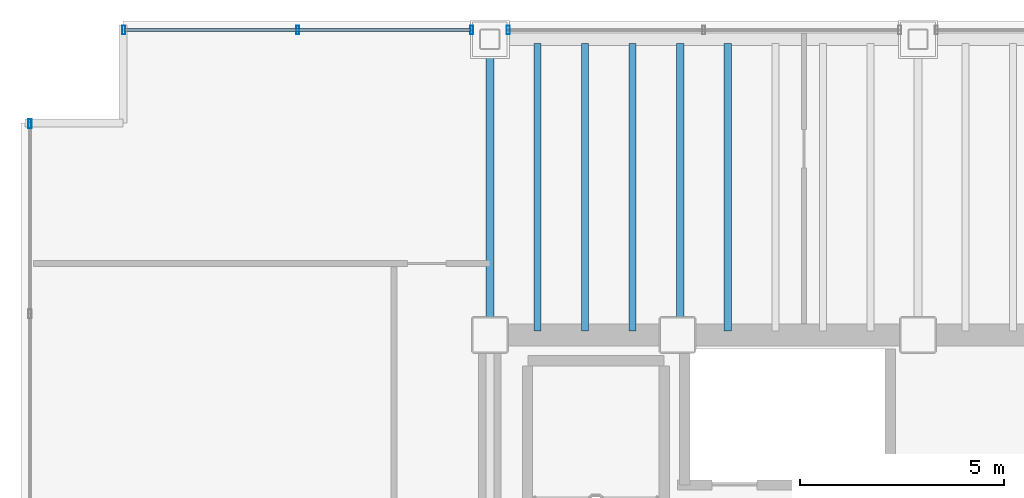
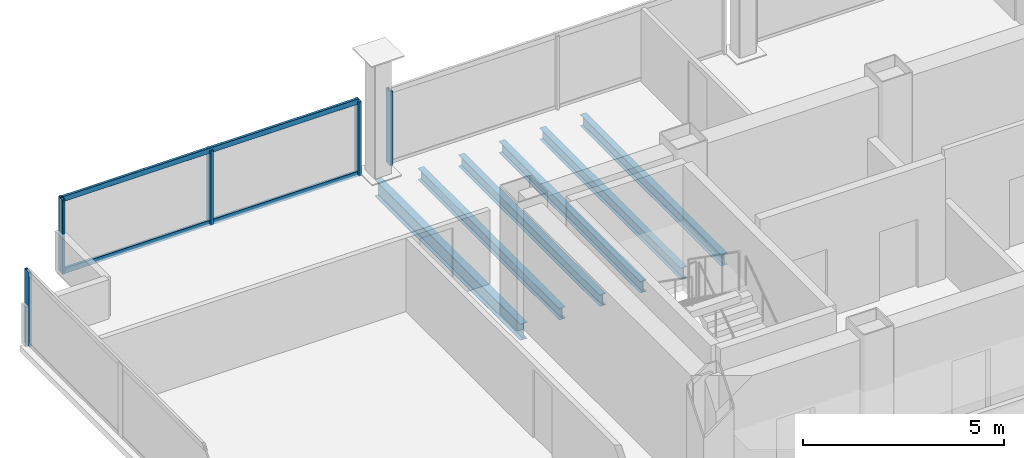
# One storey, part 8 of 19: 7 members, 6 beams, 3 elements without a shape of their own.
"""IFC4 building model written with IfcOpenShell, lengths in metres."""

from ifc_helpers import new_model, si_unit, direction, frame, origin, origin_2d, place, context, subcontext, project, spatial, hollow_rectangle, i_section, extrude, material, material_profile, profile_set, type_object, element, aggregate, save


model = new_model("IFC4")

# Units and contexts
model_context = context("Model", 3, precision=1e-05, world=origin(), true_north=direction((0.0, 1.0)))
body_context = subcontext(model_context, "Body", "Model", "MODEL_VIEW")
ifc_project = project(units=[si_unit("LENGTHUNIT", "METRE"), si_unit("AREAUNIT", "SQUARE_METRE"), si_unit("VOLUMEUNIT", "CUBIC_METRE"), si_unit("PLANEANGLEUNIT", "RADIAN"), si_unit("MASSUNIT", "GRAM", prefix="KILO")], contexts=[model_context])

# Site, building, storey
site_placement = place(None, origin())
site = spatial("IfcSite", under=ifc_project, at=site_placement, CompositionType="ELEMENT")
building_placement = place(site_placement, origin())
building = spatial("IfcBuilding", under=site, at=building_placement, Name="Noeulbin Bourse Tower", CompositionType="ELEMENT")
storey_placement = place(building_placement, frame((0.0, 0.0, 165.60009765625)))
storey = spatial("IfcBuildingStorey", under=building, at=storey_placement, Name="L41", CompositionType="ELEMENT", Elevation=165.60009765625)

# Beams
ifc_material_1 = material(Name="Steel S355", Category="steel")
ifc_material_profile_1 = material_profile(ifc_material_1, i_section(OverallWidth=0.199951171875, OverallDepth=0.5, WebThickness=0.010009765625, FlangeThickness=0.01611328125, FilletRadius=0.02001953125, at=origin_2d()), Name="H-500x200x10x16", Category="LoadBearing")
ifc_profile_set_1 = profile_set([ifc_material_profile_1], Name="Steel S355")
beam_type_1 = type_object("IfcBeamType", Name="BM-GRD-500", PredefinedType="USERDEFINED", material=ifc_profile_set_1)
beam_placement = place(storey_placement, frame((13.5, 38.300048828125, -0.43017578125), z_axis=(0.0, 1.0, 0.0), x_axis=(-1.0, 0.0, 0.0)))
element("IfcBeam", 1, at=beam_placement, inside=storey, type_object=beam_type_1, Name="Tower Primary Girder NS L41-1.4", ObjectType="GIRDER", PredefinedType="USERDEFINED", context=body_context, shape_type="SweptSolid", body=[
    extrude(i_section(OverallWidth=0.199951171875, OverallDepth=0.5, WebThickness=0.010009765625, FlangeThickness=0.01611328125, FilletRadius=0.02001953125, at=origin_2d()), origin(), (0.0, 0.0, 1.0), 7.25),
])
ifc_material_profile_2 = material_profile(ifc_material_1, i_section(OverallWidth=0.175048828125, OverallDepth=0.35009765625, WebThickness=0.007080078125, FlangeThickness=0.010986328125, FilletRadius=0.013916015625, at=origin_2d()), Name="H-350x175x7x11", Category="LoadBearing")
ifc_profile_set_2 = profile_set([ifc_material_profile_2], Name="Steel S355")
beam_type_2 = type_object("IfcBeamType", Name="BM-JST-350", PredefinedType="JOIST", material=ifc_profile_set_2)
for number, where, z_axis, x_axis, name in (
    (2, (14.666748046875, 38.39990234375, -0.35498046875), (0.0, 1.0, 0.0), (-1.0, 0.0, 0.0), "Tower Composite Joist L41-03"),
    (3, (15.833251953125, 38.39990234375, -0.35498046875), (0.0, 1.0, 0.0), (-1.0, 0.0, 0.0), "Tower Composite Joist L41-06"),
    (4, (17.0, 38.39990234375, -0.35498046875), (0.0, 1.0, 0.0), (-1.0, 0.0, 0.0), "Tower Composite Joist L41-09"),
    (5, (18.166748046875, 38.39990234375, -0.35498046875), (0.0, 1.0, 0.0), (-1.0, 0.0, 0.0), "Tower Composite Joist L41-12"),
    (6, (19.333251953125, 38.39990234375, -0.35498046875), (0.0, 1.0, 0.0), (-1.0, 0.0, 0.0), "Tower Composite Joist L41-15"),
):
    element("IfcBeam", number, at=place(storey_placement, frame(where, z_axis=z_axis, x_axis=x_axis)), inside=storey, type_object=beam_type_2, Name=name, PredefinedType="JOIST", context=body_context, shape_type="SweptSolid", body=[
        extrude(i_section(OverallWidth=0.175048828125, OverallDepth=0.35009765625, WebThickness=0.007080078125, FlangeThickness=0.010986328125, FilletRadius=0.013916015625, at=origin_2d()), origin(), (0.0, 0.0, 1.0), 7.050048828125),
    ])

# Curtain wall, members
ifc_material_2 = material(Name="Dark Tinted Triple Glazing", Category="glass")
curtain_wall_type = type_object("IfcCurtainWallType", Name="CW-SYS-3", PredefinedType="NOTDEFINED", material=ifc_material_2)
curtain_wall_1_placement = place(storey_placement, origin())
curtain_wall_1 = element("IfcCurtainWall", 7, at=curtain_wall_1_placement, inside=storey, type_object=curtain_wall_type, Name="Unitised Curtain Wall CW-L41-N-S1", PredefinedType="NOTDEFINED")
ifc_material_3 = material(Name="Anodised Aluminium 6063-T6", Category="aluminium")
ifc_material_profile_3 = material_profile(ifc_material_3, hollow_rectangle(XDim=0.074951171875, YDim=0.219970703125, WallThickness=0.0048828125, InnerFilletRadius=0.00244140625, OuterFilletRadius=0.0048828125, at=origin_2d()), Name="ALU-MULL-75x220x5", Category="LoadBearing")
ifc_profile_set_3 = profile_set([ifc_material_profile_3], Name="Anodised Aluminium 6063-T6")
member_type_1 = type_object("IfcMemberType", Name="CW-SYS-3-MUL", PredefinedType="MULLION", material=ifc_profile_set_3)
member_1_placement = place(storey_placement, frame((4.52001953125, 45.780029296875, -0.02001953125), z_axis=(0.0, 0.0, 1.0), x_axis=(1.0, 0.0, 0.0)))
member_1 = element("IfcMember", 8, at=member_1_placement, type_object=member_type_1, Name="Curtain Wall Mullion CW-L41-N-S1-M00", PredefinedType="MULLION", context=body_context, shape_type="SweptSolid", body=[
    extrude(hollow_rectangle(XDim=0.074951171875, YDim=0.219970703125, WallThickness=0.0048828125, InnerFilletRadius=0.00244140625, OuterFilletRadius=0.0048828125, at=origin_2d()), origin(), (0.0, 0.0, 1.0), 2.260009765625),
])
member_2_placement = place(storey_placement, frame((8.784912109375, 45.780029296875, -0.02001953125), z_axis=(0.0, 0.0, 1.0), x_axis=(1.0, 0.0, 0.0)))
member_2 = element("IfcMember", 9, at=member_2_placement, type_object=member_type_1, Name="Curtain Wall Mullion CW-L41-N-S1-M01", PredefinedType="MULLION", context=body_context, shape_type="SweptSolid", body=[
    extrude(hollow_rectangle(XDim=0.074951171875, YDim=0.219970703125, WallThickness=0.0048828125, InnerFilletRadius=0.00244140625, OuterFilletRadius=0.0048828125, at=origin_2d()), origin(), (0.0, 0.0, 1.0), 2.260009765625),
])
member_3_placement = place(storey_placement, frame((13.050048828125, 45.780029296875, -0.02001953125), z_axis=(0.0, 0.0, 1.0), x_axis=(1.0, 0.0, 0.0)))
member_3 = element("IfcMember", 10, at=member_3_placement, type_object=member_type_1, Name="Curtain Wall Mullion CW-L41-N-S1-M02", PredefinedType="MULLION", context=body_context, shape_type="SweptSolid", body=[
    extrude(hollow_rectangle(XDim=0.074951171875, YDim=0.219970703125, WallThickness=0.0048828125, InnerFilletRadius=0.00244140625, OuterFilletRadius=0.0048828125, at=origin_2d()), origin(), (0.0, 0.0, 1.0), 2.260009765625),
])

# Curtain wall, member
curtain_wall_2_placement = place(storey_placement, origin())
curtain_wall_2 = element("IfcCurtainWall", 11, at=curtain_wall_2_placement, inside=storey, type_object=curtain_wall_type, Name="Unitised Curtain Wall CW-L41-N-S2", PredefinedType="NOTDEFINED")
member_4_placement = place(storey_placement, frame((13.949951171875, 45.780029296875, -0.02001953125), z_axis=(0.0, 0.0, 1.0), x_axis=(1.0, 0.0, 0.0)))
member_4 = element("IfcMember", 12, at=member_4_placement, type_object=member_type_1, Name="Curtain Wall Mullion CW-L41-N-S2-M00", PredefinedType="MULLION", context=body_context, shape_type="SweptSolid", body=[
    extrude(hollow_rectangle(XDim=0.074951171875, YDim=0.219970703125, WallThickness=0.0048828125, InnerFilletRadius=0.00244140625, OuterFilletRadius=0.0048828125, at=origin_2d()), origin(), (0.0, 0.0, 1.0), 2.260009765625),
])
aggregate(curtain_wall_2, [member_4])

curtain_wall_3_placement = place(storey_placement, origin())
curtain_wall_3 = element("IfcCurtainWall", 13, at=curtain_wall_3_placement, inside=storey, type_object=curtain_wall_type, Name="Unitised Curtain Wall CW-L41-W-S2", PredefinedType="NOTDEFINED")
member_5_placement = place(storey_placement, frame((2.219970703125, 43.47998046875, -0.02001953125), z_axis=(0.0, 0.0, 1.0), x_axis=(1.0, 0.0, 0.0)))
member_5 = element("IfcMember", 14, at=member_5_placement, type_object=member_type_1, Name="Curtain Wall Mullion CW-L41-W-S2-M03", PredefinedType="MULLION", context=body_context, shape_type="SweptSolid", body=[
    extrude(hollow_rectangle(XDim=0.074951171875, YDim=0.219970703125, WallThickness=0.0048828125, InnerFilletRadius=0.00244140625, OuterFilletRadius=0.0048828125, at=origin_2d()), origin(), (0.0, 0.0, 1.0), 2.260009765625),
])
aggregate(curtain_wall_3, [member_5])

# Member
ifc_material_profile_4 = material_profile(ifc_material_3, hollow_rectangle(XDim=0.074951171875, YDim=0.159912109375, WallThickness=0.0048828125, InnerFilletRadius=0.00244140625, OuterFilletRadius=0.0048828125, at=origin_2d()), Name="ALU-TRAN-75x160x5", Category="LoadBearing")
ifc_profile_set_4 = profile_set([ifc_material_profile_4], Name="Anodised Aluminium 6063-T6")
member_type_2 = type_object("IfcMemberType", Name="CW-SYS-3-TRN", PredefinedType="USERDEFINED", material=ifc_profile_set_4)
member_6_placement = place(storey_placement, frame((4.530029296875, 45.780029296875, 0.010009765625), z_axis=(1.0, 0.0, 0.0), x_axis=(0.0, 1.0, 0.0)))
member_6 = element("IfcMember", 15, at=member_6_placement, type_object=member_type_2, Name="Curtain Wall Transom CW-L41-N-S1-T00", ObjectType="TRANSOM", PredefinedType="USERDEFINED", context=body_context, shape_type="SweptSolid", body=[
    extrude(hollow_rectangle(XDim=0.074951171875, YDim=0.159912109375, WallThickness=0.0048828125, InnerFilletRadius=0.00244140625, OuterFilletRadius=0.0048828125, at=origin_2d()), origin(), (0.0, 0.0, 1.0), 8.510009765625),
])

member_7_placement = place(storey_placement, frame((4.530029296875, 45.780029296875, 2.2099609375), z_axis=(1.0, 0.0, 0.0), x_axis=(0.0, 1.0, 0.0)))
member_7 = element("IfcMember", 16, at=member_7_placement, type_object=member_type_2, Name="Curtain Wall Transom CW-L41-N-S1-T01", ObjectType="TRANSOM", PredefinedType="USERDEFINED", context=body_context, shape_type="SweptSolid", body=[
    extrude(hollow_rectangle(XDim=0.074951171875, YDim=0.159912109375, WallThickness=0.0048828125, InnerFilletRadius=0.00244140625, OuterFilletRadius=0.0048828125, at=origin_2d()), origin(), (0.0, 0.0, 1.0), 8.510009765625),
])

aggregate(curtain_wall_1, [member_1, member_2, member_3, member_6, member_7])

save(model, "model.ifc")
